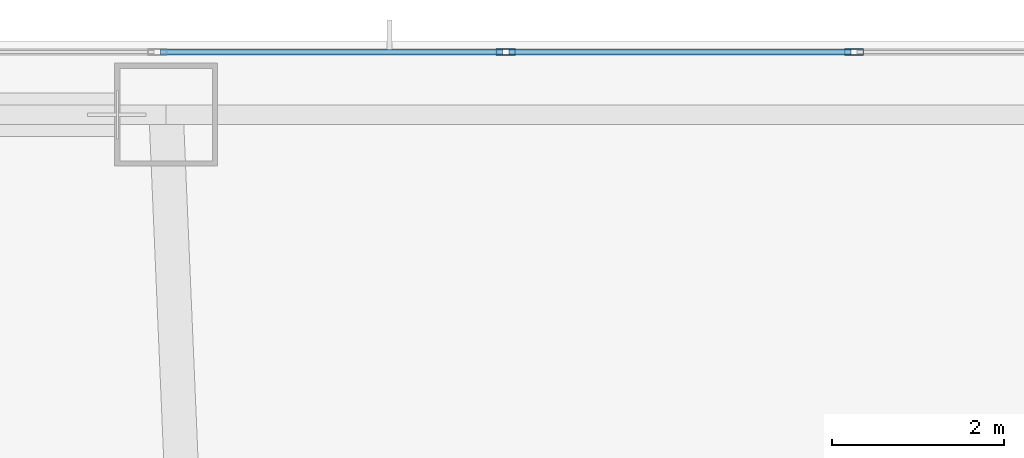
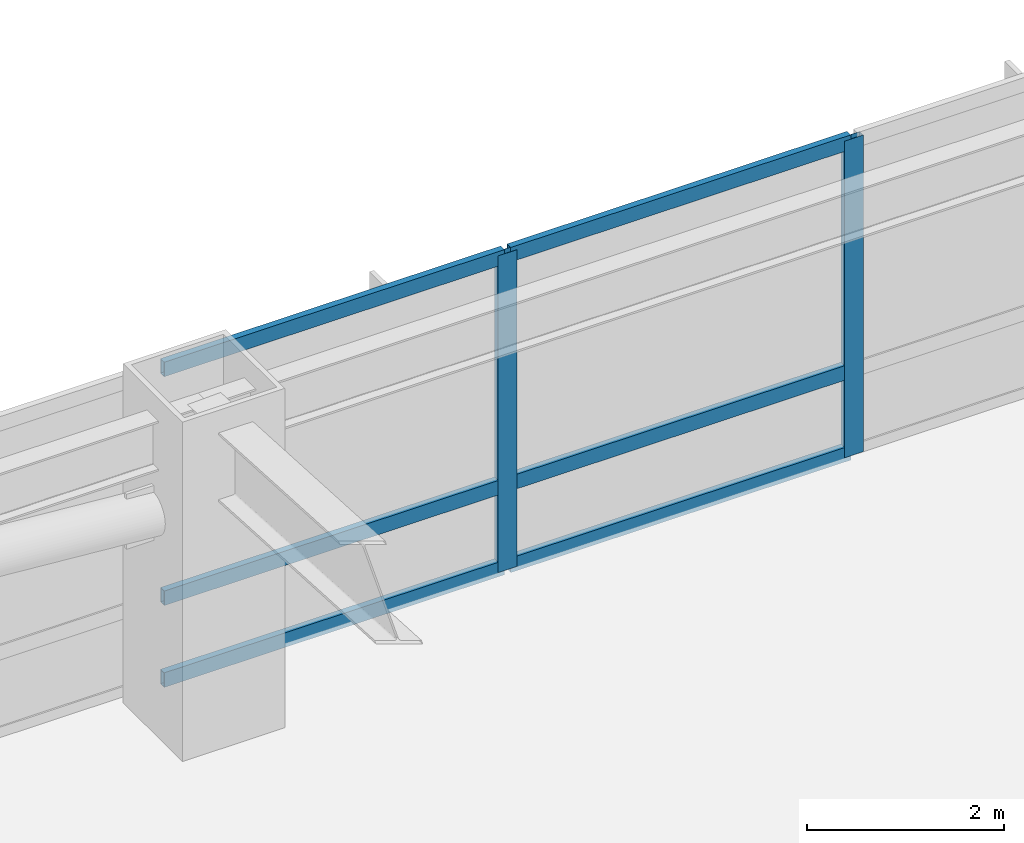
# One storey, part 4 of 25: 8 members, 1 element without a shape of its own.
"""IFC4 building model written with IfcOpenShell, lengths in metres."""

import ifcopenshell
import ifcopenshell.guid

model = None  # the IFC model being written
_history = None  # IfcOwnerHistory: only IFC2X3 demands one
_inside = {}  # id of a spatial element -> (the spatial element, [elements in it])
_under = {}  # id of a project, library or spatial element -> (it, [spatial elements below it])
_declared = {}  # id of a project -> (the project, [libraries it declares])
_typed = {}  # id of a type object -> (the type object, [elements of that type])
_made_of = {}  # id of a material, layer set ... -> (it, [elements and type objects made of it])


def new_model(schema):
    """Start an empty IFC model of exactly this schema.

    Asked for "IFC4X3", IfcOpenShell would pick the latest addendum, in which some entities
    have other attributes; the version numbers below select the first issue.
    IFC2X3 requires an IfcOwnerHistory on every rooted entity: one is made here for all.
    """
    global model, _history
    if schema == "IFC4X3":
        model = ifcopenshell.file(schema_version=(4, 3, 0, 0))
    else:
        model = ifcopenshell.file(schema=schema)
    _inside.clear()
    _under.clear()
    _declared.clear()
    _typed.clear()
    _made_of.clear()
    _history = None
    if model.schema == "IFC2X3":
        org = make("IfcOrganization", Name="unknown")
        user = make(
            "IfcPersonAndOrganization",
            ThePerson=make("IfcPerson", FamilyName="unknown"),
            TheOrganization=org,
        )
        app = make(
            "IfcApplication",
            ApplicationDeveloper=org,
            Version="unknown",
            ApplicationFullName="unknown",
            ApplicationIdentifier="unknown",
        )
        _history = make(
            "IfcOwnerHistory",
            OwningUser=user,
            OwningApplication=app,
            ChangeAction="ADDED",
            CreationDate=0,
        )
    return model


def make(cls, **values):
    """One entity of the class cls with the attributes given. An attribute that is None is left unset."""
    return model.create_entity(
        cls, **{name: value for name, value in values.items() if value is not None}
    )


def rooted(cls, **values):
    """An entity with a GlobalId (a new one), such as an element, a storey or a relation."""
    return make(cls, GlobalId=ifcopenshell.guid.new(), OwnerHistory=_history, **values)


def si_unit(unit_type, name, prefix=None):
    """IfcSIUnit, for example si_unit("LENGTHUNIT", "METRE", prefix="MILLI")."""
    return make("IfcSIUnit", UnitType=unit_type, Prefix=prefix, Name=name)


def assignment(units):
    """IfcUnitAssignment: the units of a project."""
    return None if units is None else make("IfcUnitAssignment", Units=units)


def point(xyz):
    """IfcCartesianPoint."""
    return None if xyz is None else make("IfcCartesianPoint", Coordinates=xyz)


def direction(xyz):
    """IfcDirection."""
    return None if xyz is None else make("IfcDirection", DirectionRatios=xyz)


def frame(location, z_axis=None, x_axis=None):
    """IfcAxis2Placement3D, a coordinate frame: its origin and axes. An axis left out is left unset."""
    return make(
        "IfcAxis2Placement3D",
        Location=point(location),
        Axis=direction(z_axis),
        RefDirection=direction(x_axis),
    )


def frame_2d(location, x_axis=None):
    """IfcAxis2Placement2D, a coordinate frame in the plane: its origin and x axis."""
    return make(
        "IfcAxis2Placement2D", Location=point(location), RefDirection=direction(x_axis)
    )


def origin():
    """The frame at (0, 0, 0) with its axes left unset."""
    return frame((0.0, 0.0, 0.0))


def origin_2d():
    """The frame at (0, 0) in the plane with its x axis left unset."""
    return frame_2d((0.0, 0.0))


def place(relative_to, where):
    """IfcLocalPlacement: puts the frame where relative to a parent placement (None: the world)."""
    return make(
        "IfcLocalPlacement", PlacementRelTo=relative_to, RelativePlacement=where
    )


def context(
    kind, dimensions, precision=None, world=None, true_north=None, identifier=None
):
    """IfcGeometricRepresentationContext, for example the 3D "Model" context."""
    return make(
        "IfcGeometricRepresentationContext",
        ContextIdentifier=identifier,
        ContextType=kind,
        CoordinateSpaceDimension=dimensions,
        Precision=precision,
        WorldCoordinateSystem=world,
        TrueNorth=true_north,
    )


def subcontext(parent, identifier, kind, view, scale=None):
    """IfcGeometricRepresentationSubContext, for example "Body" below "Model"."""
    return make(
        "IfcGeometricRepresentationSubContext",
        ContextIdentifier=identifier,
        ContextType=kind,
        ParentContext=parent,
        TargetScale=scale,
        TargetView=view,
    )


def project(units=None, contexts=None):
    """IfcProject with its units and contexts."""
    return rooted(
        "IfcProject",
        Name="project",
        RepresentationContexts=contexts,
        UnitsInContext=assignment(units),
    )


def spatial(cls, under=None, at=None, **own):
    """A site, building, storey or space (cls), placed at a placement, below another one or the project."""
    s = rooted(cls, ObjectPlacement=at, **own)
    if under is not None:
        _under.setdefault(under.id(), (under, []))[1].append(s)
    return s


def profile(cls, at=None, kind="AREA", **sizes):
    """A parametric profile (cls). Its sizes go by their IFC names, for example OverallWidth=200.0."""
    return make(cls, ProfileType=kind, Position=at, **sizes)


def hollow_rectangle(**sizes):
    """IfcRectangleHollowProfileDef."""
    return profile("IfcRectangleHollowProfileDef", **sizes)


def extrude(swept, where, along, depth):
    """IfcExtrudedAreaSolid: the profile swept, set in the frame where, extruded along a direction by depth."""
    return make(
        "IfcExtrudedAreaSolid",
        SweptArea=swept,
        Position=where,
        ExtrudedDirection=direction(along),
        Depth=depth,
    )


def shape(context_of_items, identifier, shape_type, items):
    """IfcShapeRepresentation: the items that make up one representation, for example the "Body"."""
    return make(
        "IfcShapeRepresentation",
        ContextOfItems=context_of_items,
        RepresentationIdentifier=identifier,
        RepresentationType=shape_type,
        Items=items,
    )


def material(Name=None, Category=None):
    """IfcMaterial."""
    return make("IfcMaterial", Name=Name, Category=Category)


def material_profile(
    of_material, cross_section, Name=None, Category=None, Priority=None
):
    """IfcMaterialProfile: a cross section and its material."""
    return make(
        "IfcMaterialProfile",
        Name=Name,
        Material=of_material,
        Profile=cross_section,
        Priority=Priority,
        Category=Category,
    )


def profile_set(profiles, Name=None, composite=None):
    """IfcMaterialProfileSet."""
    return make(
        "IfcMaterialProfileSet",
        Name=Name,
        MaterialProfiles=profiles,
        CompositeProfile=composite,
    )


def made_of(thing, what):
    """Note that an element or type object is made of a material, layer set ...; save() writes the relation."""
    if what is not None:
        _made_of.setdefault(what.id(), (what, []))[1].append(thing)
    return thing


def type_object(cls, material=None, **own):
    """A type object (cls), such as IfcWallType, which elements share."""
    return made_of(rooted(cls, **own), material)


def element(
    cls,
    number,
    at=None,
    inside=None,
    cuts=None,
    type_object=None,
    material=None,
    context=None,
    identifier="Body",
    shape_type=None,
    held_by="IfcProductDefinitionShape",
    body=None,
    shapes=None,
    **own,
):
    """One element of the class cls, such as IfcWall. Its Tag is "e" and its number.

    at: its placement. inside: the storey or other place that contains it. cuts: it is an
    opening in that element (IfcRelVoidsElement). A single representation is given by context,
    identifier, shape_type and body (its items); several are given by shapes. held_by: the class
    of the entity that holds the representations. save() writes the other relations.
    """
    e = rooted(cls, Tag="e%d" % number, ObjectPlacement=at, **own)
    if body is not None:
        shapes = [shape(context, identifier, shape_type, body)]
    if shapes is not None:
        e.Representation = make(held_by, Representations=shapes)
    if inside is not None:
        _inside.setdefault(inside.id(), (inside, []))[1].append(e)
    if cuts is not None:
        rooted(
            "IfcRelVoidsElement", RelatingBuildingElement=cuts, RelatedOpeningElement=e
        )
    if type_object is not None:
        _typed.setdefault(type_object.id(), (type_object, []))[1].append(e)
    return made_of(e, material)


def aggregate(whole, parts):
    """IfcRelAggregates: a whole, such as a stair, and the parts it consists of."""
    return rooted("IfcRelAggregates", RelatingObject=whole, RelatedObjects=parts)


def save(model, path):
    """Write the relations noted so far, then the file.

    IfcRelAggregates (storeys below a building ...), IfcRelContainedInSpatialStructure (elements
    in a storey), IfcRelDefinesByType, IfcRelAssociatesMaterial and IfcRelDeclares: one each for
    every whole, place, type object, material and project.
    """
    for whole, parts in _under.values():
        aggregate(whole, parts)
    for where, things in _inside.values():
        rooted(
            "IfcRelContainedInSpatialStructure",
            RelatedElements=things,
            RelatingStructure=where,
        )
    for kind, things in _typed.values():
        rooted("IfcRelDefinesByType", RelatedObjects=things, RelatingType=kind)
    for what, things in _made_of.values():
        rooted("IfcRelAssociatesMaterial", RelatedObjects=things, RelatingMaterial=what)
    for by, libraries in _declared.values():
        rooted("IfcRelDeclares", RelatingContext=by, RelatedDefinitions=libraries)
    model.write(path)


model = new_model("IFC4")

# Units and contexts
model_context = context("Model", 3, precision=1e-05, world=origin(), true_north=direction((0.0, 1.0)))
body_context = subcontext(model_context, "Body", "Model", "MODEL_VIEW")
ifc_project = project(units=[si_unit("LENGTHUNIT", "METRE"), si_unit("AREAUNIT", "SQUARE_METRE"), si_unit("VOLUMEUNIT", "CUBIC_METRE"), si_unit("PLANEANGLEUNIT", "RADIAN"), si_unit("MASSUNIT", "GRAM", prefix="KILO")], contexts=[model_context])

# Site, building, storey
site_placement = place(None, origin())
site = spatial("IfcSite", under=ifc_project, at=site_placement, CompositionType="ELEMENT")
building_placement = place(site_placement, origin())
building = spatial("IfcBuilding", under=site, at=building_placement, Name="Khamvora Tower", CompositionType="ELEMENT")
storey_placement = place(building_placement, frame((0.0, 0.0, 16.199951171875)))
storey = spatial("IfcBuildingStorey", under=building, at=storey_placement, Name="L03", CompositionType="ELEMENT", Elevation=16.199951171875)

# Curtain wall, members
ifc_material = material(Name="Anodised Aluminium 6063-T6", Category="aluminium")
curtain_wall_type = type_object("IfcCurtainWallType", Name="CW-SYS-01", PredefinedType="NOTDEFINED", material=ifc_material)
curtain_wall_placement = place(storey_placement, origin())
curtain_wall = element("IfcCurtainWall", 1, at=curtain_wall_placement, inside=storey, type_object=curtain_wall_type, Name="L03 stick curtain wall 07.1", PredefinedType="NOTDEFINED")
ifc_material_profile_1 = material_profile(ifc_material, hollow_rectangle(XDim=0.074951171875, YDim=0.219970703125, WallThickness=0.0048828125, at=origin_2d()), Name="MUL75x220x5")
ifc_profile_set_1 = profile_set([ifc_material_profile_1], Name="Anodised Aluminium 6063-T6")
member_type_1 = type_object("IfcMemberType", Name="CW-SYS-01-MUL", PredefinedType="MULLION", material=ifc_profile_set_1)
member_1_placement = place(storey_placement, frame((21.95361328125, 55.8798828125, 0.0), z_axis=(0.0, 0.0, 1.0), x_axis=(0.0, 1.0, 0.0)))
member_1 = element("IfcMember", 2, at=member_1_placement, type_object=member_type_1, Name="CW-01 mullion 5", PredefinedType="MULLION", context=body_context, shape_type="SweptSolid", body=[
    extrude(hollow_rectangle(XDim=0.074951171875, YDim=0.219970703125, WallThickness=0.0048828125, at=origin_2d()), origin(), (0.0, 0.0, 1.0), 3.920166015625),
])
member_2_placement = place(storey_placement, frame((26.01025390625, 55.8798828125, 0.0), z_axis=(0.0, 0.0, 1.0), x_axis=(0.0, 1.0, 0.0)))
member_2 = element("IfcMember", 3, at=member_2_placement, type_object=member_type_1, Name="CW-01 mullion 6", PredefinedType="MULLION", context=body_context, shape_type="SweptSolid", body=[
    extrude(hollow_rectangle(XDim=0.074951171875, YDim=0.219970703125, WallThickness=0.0048828125, at=origin_2d()), origin(), (0.0, 0.0, 1.0), 3.920166015625),
])
ifc_material_profile_2 = material_profile(ifc_material, hollow_rectangle(XDim=0.074951171875, YDim=0.179931640625, WallThickness=0.0048828125, at=origin_2d()), Name="TRN75x180x5")
ifc_profile_set_2 = profile_set([ifc_material_profile_2], Name="Anodised Aluminium 6063-T6")
member_type_2 = type_object("IfcMemberType", Name="CW-SYS-01-TRN", PredefinedType="USERDEFINED", material=ifc_profile_set_2)
member_3_placement = place(storey_placement, frame((17.934326171875, 55.8798828125, 0.03759765625), z_axis=(1.0, 0.0, 0.0), x_axis=(0.0, 1.0, 0.0)))
member_3 = element("IfcMember", 4, at=member_3_placement, type_object=member_type_2, Name="CW-01 transom 4.1", ObjectType="TRANSOM", PredefinedType="USERDEFINED", context=body_context, shape_type="SweptSolid", body=[
    extrude(hollow_rectangle(XDim=0.074951171875, YDim=0.179931640625, WallThickness=0.0048828125, at=origin_2d()), origin(), (0.0, 0.0, 1.0), 3.981689453125),
])
member_4_placement = place(storey_placement, frame((17.934326171875, 55.8798828125, 1.050048828125), z_axis=(1.0, 0.0, 0.0), x_axis=(0.0, 1.0, 0.0)))
member_4 = element("IfcMember", 5, at=member_4_placement, type_object=member_type_2, Name="CW-01 transom 4.2", ObjectType="TRANSOM", PredefinedType="USERDEFINED", context=body_context, shape_type="SweptSolid", body=[
    extrude(hollow_rectangle(XDim=0.074951171875, YDim=0.179931640625, WallThickness=0.0048828125, at=origin_2d()), origin(), (0.0, 0.0, 1.0), 3.981689453125),
])
member_5_placement = place(storey_placement, frame((17.934326171875, 55.8798828125, 3.882568359375), z_axis=(1.0, 0.0, 0.0), x_axis=(0.0, 1.0, 0.0)))
member_5 = element("IfcMember", 6, at=member_5_placement, type_object=member_type_2, Name="CW-01 transom 4.3", ObjectType="TRANSOM", PredefinedType="USERDEFINED", context=body_context, shape_type="SweptSolid", body=[
    extrude(hollow_rectangle(XDim=0.074951171875, YDim=0.179931640625, WallThickness=0.0048828125, at=origin_2d()), origin(), (0.0, 0.0, 1.0), 3.981689453125),
])
member_6_placement = place(storey_placement, frame((21.990966796875, 55.8798828125, 0.03759765625), z_axis=(1.0, 0.0, 0.0), x_axis=(0.0, 1.0, 0.0)))
member_6 = element("IfcMember", 7, at=member_6_placement, type_object=member_type_2, Name="CW-01 transom 5.1", ObjectType="TRANSOM", PredefinedType="USERDEFINED", context=body_context, shape_type="SweptSolid", body=[
    extrude(hollow_rectangle(XDim=0.074951171875, YDim=0.179931640625, WallThickness=0.0048828125, at=origin_2d()), origin(), (0.0, 0.0, 1.0), 3.981689453125),
])
member_7_placement = place(storey_placement, frame((21.990966796875, 55.8798828125, 1.050048828125), z_axis=(1.0, 0.0, 0.0), x_axis=(0.0, 1.0, 0.0)))
member_7 = element("IfcMember", 8, at=member_7_placement, type_object=member_type_2, Name="CW-01 transom 5.2", ObjectType="TRANSOM", PredefinedType="USERDEFINED", context=body_context, shape_type="SweptSolid", body=[
    extrude(hollow_rectangle(XDim=0.074951171875, YDim=0.179931640625, WallThickness=0.0048828125, at=origin_2d()), origin(), (0.0, 0.0, 1.0), 3.981689453125),
])
member_8_placement = place(storey_placement, frame((21.990966796875, 55.8798828125, 3.882568359375), z_axis=(1.0, 0.0, 0.0), x_axis=(0.0, 1.0, 0.0)))
member_8 = element("IfcMember", 9, at=member_8_placement, type_object=member_type_2, Name="CW-01 transom 5.3", ObjectType="TRANSOM", PredefinedType="USERDEFINED", context=body_context, shape_type="SweptSolid", body=[
    extrude(hollow_rectangle(XDim=0.074951171875, YDim=0.179931640625, WallThickness=0.0048828125, at=origin_2d()), origin(), (0.0, 0.0, 1.0), 3.981689453125),
])
aggregate(curtain_wall, [member_1, member_2, member_3, member_4, member_5, member_6, member_7, member_8])

save(model, "model.ifc")
